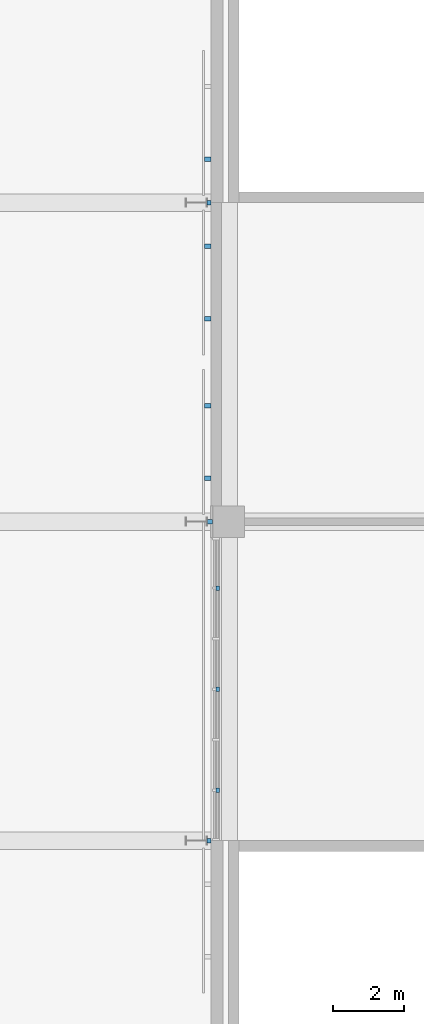
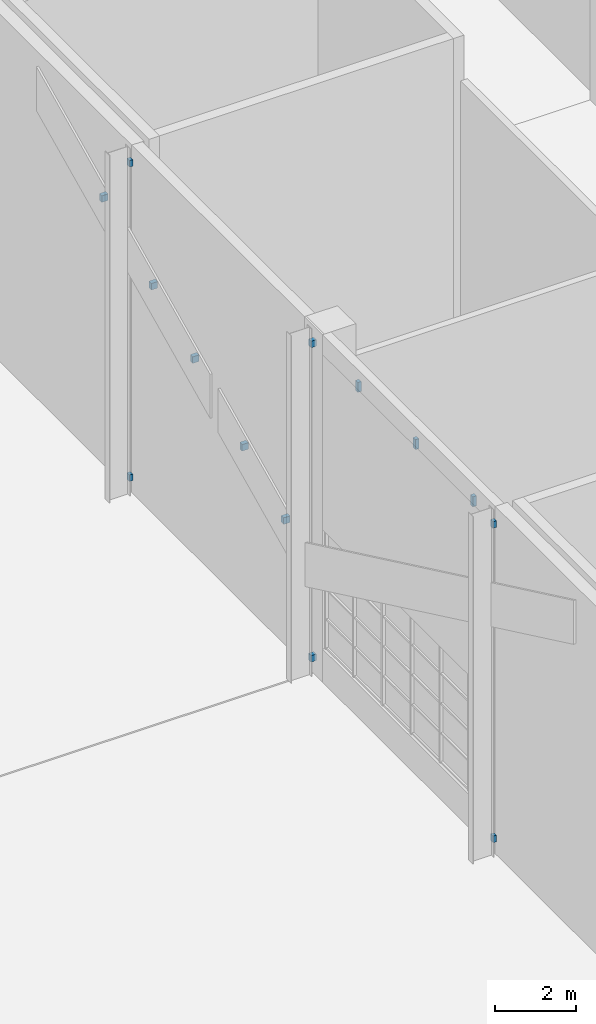
# One storey, part 113 of 182: 14 discrete accessories.
"""IFC4 building model written with IfcOpenShell, lengths in metres."""

from ifc_helpers import new_model, si_unit, direction, frame, origin, origin_2d, place, context, subcontext, project, spatial, rectangle, extrude, material, type_object, element, save


model = new_model("IFC4")

# Units and contexts
model_context = context("Model", 3, precision=1e-05, world=origin(), true_north=direction((0.0, 1.0)))
body_context = subcontext(model_context, "Body", "Model", "MODEL_VIEW")
ifc_project = project(units=[si_unit("LENGTHUNIT", "METRE"), si_unit("AREAUNIT", "SQUARE_METRE"), si_unit("VOLUMEUNIT", "CUBIC_METRE"), si_unit("PLANEANGLEUNIT", "RADIAN"), si_unit("MASSUNIT", "GRAM", prefix="KILO")], contexts=[model_context])

# Site, building, storey
site_placement = place(None, origin())
site = spatial("IfcSite", under=ifc_project, at=site_placement, CompositionType="ELEMENT")
building_placement = place(site_placement, origin())
building = spatial("IfcBuilding", under=site, at=building_placement, Name="Silverbay Arena", CompositionType="ELEMENT")
storey_placement = place(building_placement, frame((0.0, 0.0, 11.5)))
storey = spatial("IfcBuildingStorey", under=building, at=storey_placement, Name="L02", CompositionType="ELEMENT", Elevation=11.5)

# Discrete accessories
ifc_material = material(Name="Steel S355", Category="steel")
discrete_accessory_type = type_object("IfcDiscreteAccessoryType", Name="Steel bracket plate", PredefinedType="BRACKET", material=ifc_material)
for number, where, z_axis, x_axis, name in (
    (1, (53.699951171875, 73.425048828125, 9.60009765625), (0.0, 0.0, 1.0), (1.0, 0.0, 0.0), "Cladding hanger bracket"),
    (2, (53.699951171875, 76.27490234375, 9.60009765625), (0.0, 0.0, 1.0), (1.0, 0.0, 0.0), "Cladding hanger bracket"),
    (3, (53.699951171875, 79.125, 9.60009765625), (0.0, 0.0, 1.0), (1.0, 0.0, 0.0), "Cladding hanger bracket"),
):
    element("IfcDiscreteAccessory", number, at=place(storey_placement, frame(where, z_axis=z_axis, x_axis=x_axis)), inside=storey, type_object=discrete_accessory_type, Name=name, PredefinedType="BRACKET", context=body_context, shape_type="SweptSolid", body=[
        extrude(rectangle(XDim=0.10009765625, YDim=0.1201171875, at=origin_2d()), origin(), (0.0, 0.0, 1.0), 0.300048828125),
    ])
for number, where, z_axis, x_axis, name in (
    (4, (53.449951171875, 72.0, 0.39990234375), (0.0, 0.0, 1.0), (1.0, 0.0, 0.0), "Fin bracket"),
    (5, (53.449951171875, 72.0, 9.89990234375), (0.0, 0.0, 1.0), (1.0, 0.0, 0.0), "Fin bracket"),
):
    element("IfcDiscreteAccessory", number, at=place(storey_placement, frame(where, z_axis=z_axis, x_axis=x_axis)), inside=storey, type_object=discrete_accessory_type, Name=name, PredefinedType="BRACKET", context=body_context, shape_type="SweptSolid", body=[
        extrude(rectangle(XDim=0.10009765625, YDim=0.1201171875, at=origin_2d()), origin(), (0.0, 0.0, 1.0), 0.199951171875),
    ])
for number, where, z_axis, x_axis, name in (
    (6, (53.47509765625, 81.0, 0.39990234375), (0.0, 0.0, 1.0), (1.0, 0.0, 0.0), "Fin bracket"),
    (7, (53.47509765625, 81.0, 9.89990234375), (0.0, 0.0, 1.0), (1.0, 0.0, 0.0), "Fin bracket"),
):
    element("IfcDiscreteAccessory", number, at=place(storey_placement, frame(where, z_axis=z_axis, x_axis=x_axis)), inside=storey, type_object=discrete_accessory_type, Name=name, PredefinedType="BRACKET", context=body_context, shape_type="SweptSolid", body=[
        extrude(rectangle(XDim=0.14990234375, YDim=0.1201171875, at=origin_2d()), origin(), (0.0, 0.0, 1.0), 0.199951171875),
    ])
for number, where, z_axis, x_axis, name in (
    (8, (53.449951171875, 90.0, 0.39990234375), (0.0, 0.0, 1.0), (1.0, 0.0, 0.0), "Fin bracket"),
    (9, (53.449951171875, 90.0, 9.89990234375), (0.0, 0.0, 1.0), (1.0, 0.0, 0.0), "Fin bracket"),
):
    element("IfcDiscreteAccessory", number, at=place(storey_placement, frame(where, z_axis=z_axis, x_axis=x_axis)), inside=storey, type_object=discrete_accessory_type, Name=name, PredefinedType="BRACKET", context=body_context, shape_type="SweptSolid", body=[
        extrude(rectangle(XDim=0.10009765625, YDim=0.1201171875, at=origin_2d()), origin(), (0.0, 0.0, 1.0), 0.199951171875),
    ])
for number, where, z_axis, x_axis, name in (
    (10, (53.409912109375, 82.22509765625, 3.84619140625), (0.0, 0.0, 1.0), (1.0, 0.0, 0.0), "Band bracket"),
    (11, (53.409912109375, 84.27490234375, 4.81982421875), (0.0, 0.0, 1.0), (1.0, 0.0, 0.0), "Band bracket"),
    (12, (53.409912109375, 86.72509765625, 5.9833984375), (0.0, 0.0, 1.0), (1.0, 0.0, 0.0), "Band bracket"),
    (13, (53.409912109375, 88.77490234375, 6.95751953125), (0.0, 0.0, 1.0), (1.0, 0.0, 0.0), "Band bracket"),
    (14, (53.409912109375, 91.22509765625, 8.12109375), (0.0, 0.0, 1.0), (1.0, 0.0, 0.0), "Band bracket"),
):
    element("IfcDiscreteAccessory", number, at=place(storey_placement, frame(where, z_axis=z_axis, x_axis=x_axis)), inside=storey, type_object=discrete_accessory_type, Name=name, PredefinedType="BRACKET", context=body_context, shape_type="SweptSolid", body=[
        extrude(rectangle(XDim=0.179931640625, YDim=0.1201171875, at=origin_2d()), origin(), (0.0, 0.0, 1.0), 0.199951171875),
    ])

save(model, "model.ifc")
